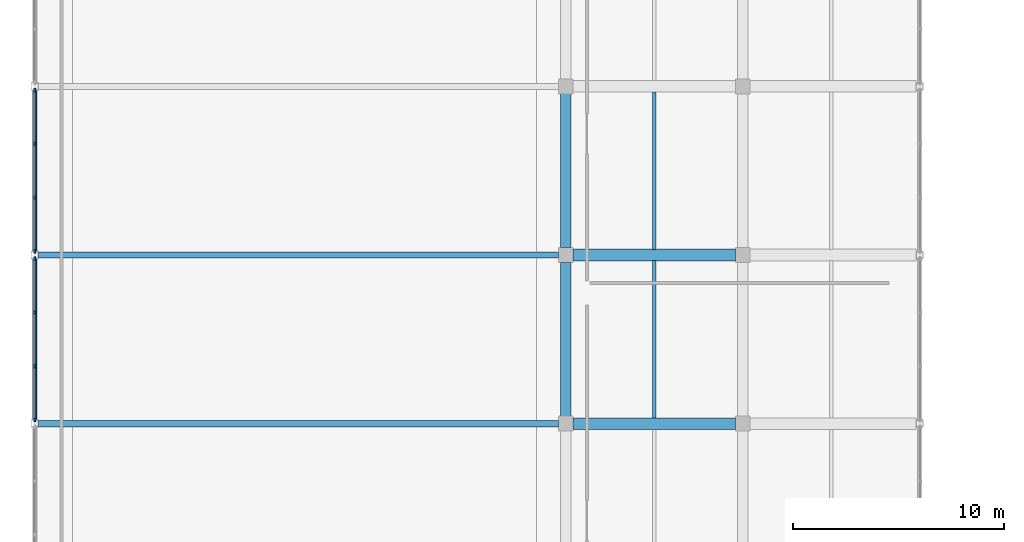
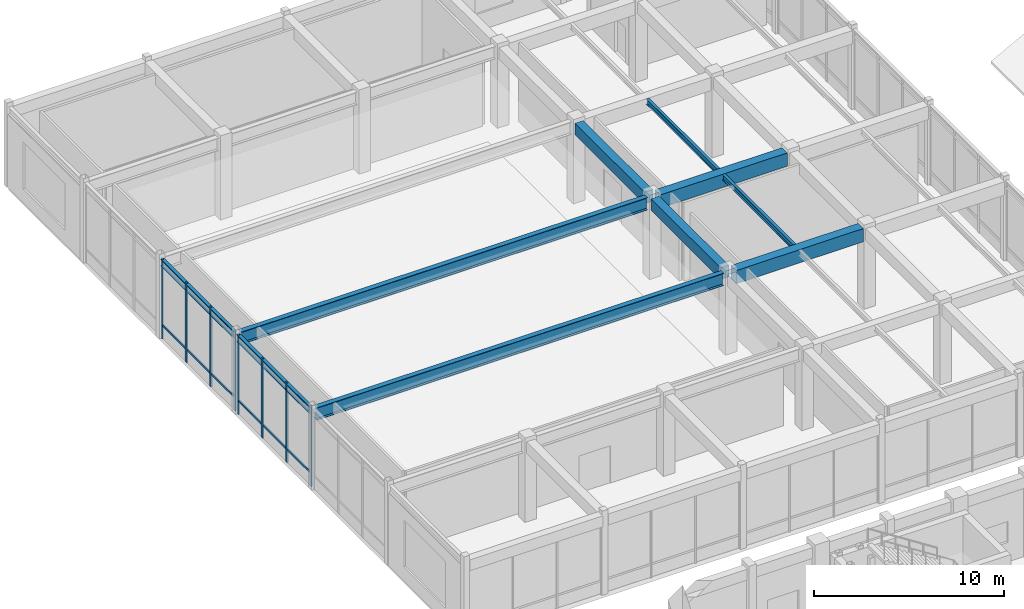
# One storey, part 32 of 79: 20 members, 10 beams, 2 elements without a shape of their own.
"""IFC4 building model written with IfcOpenShell, lengths in metres."""

from ifc_helpers import new_model, si_unit, direction, frame, origin, origin_2d, place, context, subcontext, project, spatial, rectangle, i_section, extrude, material, layer, layer_set, material_profile, profile_set, type_object, element, aggregate, save


model = new_model("IFC4")

# Units and contexts
model_context = context("Model", 3, precision=1e-05, world=origin(), true_north=direction((0.0, 1.0)))
body_context = subcontext(model_context, "Body", "Model", "MODEL_VIEW")
ifc_project = project(units=[si_unit("LENGTHUNIT", "METRE"), si_unit("AREAUNIT", "SQUARE_METRE"), si_unit("VOLUMEUNIT", "CUBIC_METRE"), si_unit("PLANEANGLEUNIT", "RADIAN"), si_unit("MASSUNIT", "GRAM", prefix="KILO")], contexts=[model_context])

# Site, building, storey
site_placement = place(None, origin())
site = spatial("IfcSite", under=ifc_project, at=site_placement, CompositionType="ELEMENT")
building_placement = place(site_placement, origin())
building = spatial("IfcBuilding", under=site, at=building_placement, Name="Naruveol Harbour Congress Hotel", CompositionType="ELEMENT")
storey_placement = place(building_placement, frame((0.0, 0.0, 6.0)))
storey = spatial("IfcBuildingStorey", under=building, at=storey_placement, Name="L01", CompositionType="ELEMENT", Elevation=6.0)

# Beams
ifc_material_1 = material(Name="Concrete C40/50", Category="concrete")
ifc_material_profile_1 = material_profile(ifc_material_1, rectangle(XDim=0.5, YDim=0.75, at=origin_2d()), Name="RCB-500x750")
ifc_profile_set_1 = profile_set([ifc_material_profile_1], Name="Concrete C40/50")
beam_type_1 = type_object("IfcBeamType", Name="RC FLOOR GIRDER 500X750", PredefinedType="BEAM", material=ifc_profile_set_1)
for number, where, z_axis, x_axis, name in (
    (1, (25.199951171875, 80.345947265625, 4.764892578125), (0.0, 1.0, 0.0), (-1.0, 0.0, 0.0), "Transverse girder L02 CB3"),
    (2, (25.199951171875, 88.345947265625, 4.764892578125), (0.0, 1.0, 0.0), (-1.0, 0.0, 0.0), "Transverse girder L02 CB3"),
):
    element("IfcBeam", number, at=place(storey_placement, frame(where, z_axis=z_axis, x_axis=x_axis)), inside=storey, type_object=beam_type_1, Name=name, PredefinedType="BEAM", context=body_context, shape_type="SweptSolid", body=[
        extrude(rectangle(XDim=0.5, YDim=0.75, at=origin_2d()), origin(), (0.0, 0.0, 1.0), 7.30810546875),
    ])
ifc_material_2 = material(Name="Concrete C40/50", Category="concrete")
ifc_material_profile_2 = material_profile(ifc_material_2, rectangle(XDim=0.550048828125, YDim=0.85009765625, at=origin_2d()), Name="RCB-550x850")
ifc_profile_set_2 = profile_set([ifc_material_profile_2], Name="Concrete C40/50")
beam_type_2 = type_object("IfcBeamType", Name="RC PRIMARY GIRDER 550X850", PredefinedType="BEAM", material=ifc_profile_set_2)
for number, where, z_axis, x_axis, name in (
    (3, (25.5458984375, 80.0, 4.715087890625), (1.0, 0.0, 0.0), (0.0, 1.0, 0.0), "Floor girder L02 CB2"),
    (4, (25.5458984375, 88.0, 4.715087890625), (1.0, 0.0, 0.0), (0.0, 1.0, 0.0), "Floor girder L02 CB2"),
):
    element("IfcBeam", number, at=place(storey_placement, frame(where, z_axis=z_axis, x_axis=x_axis)), inside=storey, type_object=beam_type_2, Name=name, PredefinedType="BEAM", context=body_context, shape_type="SweptSolid", body=[
        extrude(rectangle(XDim=0.550048828125, YDim=0.85009765625, at=origin_2d()), origin(), (0.0, 0.0, 1.0), 7.7080078125),
    ])
ifc_material_3 = material(Name="Steel SN490", Category="steel")
ifc_material_profile_3 = material_profile(ifc_material_3, i_section(OverallWidth=0.175048828125, OverallDepth=0.35009765625, WebThickness=0.007080078125, FlangeThickness=0.010986328125, at=origin_2d()), Name="H-350x175x7x11")
ifc_profile_set_3 = profile_set([ifc_material_profile_3], Name="Steel SN490")
beam_type_3 = type_object("IfcBeamType", Name="STEEL SECONDARY JOIST H350", PredefinedType="JOIST", material=ifc_profile_set_3)
for number, where, z_axis, x_axis, name in (
    (5, (29.39990234375, 80.27099609375, 4.965087890625), (0.0, 1.0, 0.0), (-1.0, 0.0, 0.0), "Secondary floor joist L02 SJ2"),
    (6, (29.39990234375, 88.27099609375, 4.965087890625), (0.0, 1.0, 0.0), (-1.0, 0.0, 0.0), "Secondary floor joist L02 SJ2"),
):
    element("IfcBeam", number, at=place(storey_placement, frame(where, z_axis=z_axis, x_axis=x_axis)), inside=storey, type_object=beam_type_3, Name=name, PredefinedType="JOIST", context=body_context, shape_type="SweptSolid", body=[
        extrude(i_section(OverallWidth=0.175048828125, OverallDepth=0.35009765625, WebThickness=0.007080078125, FlangeThickness=0.010986328125, at=origin_2d()), origin(), (0.0, 0.0, 1.0), 7.4580078125),
    ])
ifc_material_4 = material(Name="Steel SN490", Category="steel")
ifc_material_profile_4 = material_profile(ifc_material_4, i_section(OverallWidth=0.199951171875, OverallDepth=0.449951171875, WebThickness=0.009033203125, FlangeThickness=0.013916015625, at=origin_2d()), Name="H-450x200x9x14")
ifc_profile_set_4 = profile_set([ifc_material_profile_4], Name="Steel SN490")
beam_type_4 = type_object("IfcBeamType", Name="STEEL SPANDREL EDGE BEAM H450", PredefinedType="SPANDREL", material=ifc_profile_set_4)
for number, where, z_axis, x_axis, name in (
    (7, (0.0, 80.1708984375, 4.875), (0.0, 1.0, 0.0), (-1.0, 0.0, 0.0), "Transverse girder L02 SPB2"),
    (8, (0.0, 88.1708984375, 4.875), (0.0, 1.0, 0.0), (-1.0, 0.0, 0.0), "Transverse girder L02 SPB2"),
):
    element("IfcBeam", number, at=place(storey_placement, frame(where, z_axis=z_axis, x_axis=x_axis)), inside=storey, type_object=beam_type_4, Name=name, PredefinedType="SPANDREL", context=body_context, shape_type="SweptSolid", body=[
        extrude(i_section(OverallWidth=0.199951171875, OverallDepth=0.449951171875, WebThickness=0.009033203125, FlangeThickness=0.013916015625, at=origin_2d()), origin(), (0.0, 0.0, 1.0), 7.658203125),
    ])
ifc_material_5 = material(Name="Steel SN490", Category="steel")
ifc_material_profile_5 = material_profile(ifc_material_5, i_section(OverallWidth=0.300048828125, OverallDepth=0.800048828125, WebThickness=0.013916015625, FlangeThickness=0.02587890625, at=origin_2d()), Name="H-800x300x14x26")
ifc_profile_set_5 = profile_set([ifc_material_profile_5], Name="Steel SN490")
beam_type_5 = type_object("IfcBeamType", Name="STEEL VAULT ARCH GIRDER H800", PredefinedType="BEAM", material=ifc_profile_set_5)
for number, where, z_axis, x_axis, name in (
    (9, (0.1708984375, 80.0, 4.739990234375), (1.0, 0.0, 0.0), (0.0, 1.0, 0.0), "Spa pool vault tie girder VG-B1"),
    (10, (0.1708984375, 88.0, 4.739990234375), (1.0, 0.0, 0.0), (0.0, 1.0, 0.0), "Spa pool vault tie girder VG-B1"),
):
    element("IfcBeam", number, at=place(storey_placement, frame(where, z_axis=z_axis, x_axis=x_axis)), inside=storey, type_object=beam_type_5, Name=name, PredefinedType="BEAM", context=body_context, shape_type="SweptSolid", body=[
        extrude(i_section(OverallWidth=0.300048828125, OverallDepth=0.800048828125, WebThickness=0.013916015625, FlangeThickness=0.02587890625, at=origin_2d()), origin(), (0.0, 0.0, 1.0), 24.68310546875),
    ])

# Curtain wall, members
ifc_material_6 = material(Name="Low-E Curtain Wall System", Category="glass")
ifc_layer = layer(ifc_material_6, 0.179931640625)
ifc_layer_set = layer_set([ifc_layer], Name="Low-E Curtain Wall System")
curtain_wall_type = type_object("IfcCurtainWallType", Name="UNITISED CURTAIN WALL CW-V3P-13 7650X5100", PredefinedType="USERDEFINED", material=ifc_layer_set)
curtain_wall_1_placement = place(storey_placement, origin())
curtain_wall_1 = element("IfcCurtainWall", 11, at=curtain_wall_1_placement, inside=storey, type_object=curtain_wall_type, Name="Unitised curtain wall CW-V3P-13 L01", ObjectType="UNITISED GLAZING", PredefinedType="USERDEFINED")
ifc_material_7 = material(Name="Anodised Aluminium 6063-T6", Category="aluminium")
ifc_material_profile_6 = material_profile(ifc_material_7, rectangle(XDim=0.074951171875, YDim=0.179931640625, at=origin_2d()), Name="ALU-75x180")
ifc_profile_set_6 = profile_set([ifc_material_profile_6], Name="Anodised Aluminium 6063-T6")
member_type_1 = type_object("IfcMemberType", Name="THERMAL ALUMINIUM MULLION 75X180", PredefinedType="MULLION", material=ifc_profile_set_6)
member_1_placement = place(storey_placement, frame((0.0, 80.175048828125, 0.0), z_axis=(0.0, 0.0, 1.0), x_axis=(1.0, 0.0, 0.0)))
member_1 = element("IfcMember", 12, at=member_1_placement, type_object=member_type_1, Name="Curtain wall mullion CW-L01-0019-M0", PredefinedType="MULLION", context=body_context, shape_type="SweptSolid", body=[
    extrude(rectangle(XDim=0.074951171875, YDim=0.179931640625, at=origin_2d()), origin(), (0.0, 0.0, 1.0), 5.10009765625),
])
member_2_placement = place(storey_placement, frame((0.0, 82.72509765625, 0.0), z_axis=(0.0, 0.0, 1.0), x_axis=(1.0, 0.0, 0.0)))
member_2 = element("IfcMember", 13, at=member_2_placement, type_object=member_type_1, Name="Curtain wall mullion CW-L01-0019-M1", PredefinedType="MULLION", context=body_context, shape_type="SweptSolid", body=[
    extrude(rectangle(XDim=0.074951171875, YDim=0.179931640625, at=origin_2d()), origin(), (0.0, 0.0, 1.0), 5.10009765625),
])
member_3_placement = place(storey_placement, frame((0.0, 85.27490234375, 0.0), z_axis=(0.0, 0.0, 1.0), x_axis=(1.0, 0.0, 0.0)))
member_3 = element("IfcMember", 14, at=member_3_placement, type_object=member_type_1, Name="Curtain wall mullion CW-L01-0019-M2", PredefinedType="MULLION", context=body_context, shape_type="SweptSolid", body=[
    extrude(rectangle(XDim=0.074951171875, YDim=0.179931640625, at=origin_2d()), origin(), (0.0, 0.0, 1.0), 5.10009765625),
])
member_4_placement = place(storey_placement, frame((0.0, 87.824951171875, 0.0), z_axis=(0.0, 0.0, 1.0), x_axis=(1.0, 0.0, 0.0)))
member_4 = element("IfcMember", 15, at=member_4_placement, type_object=member_type_1, Name="Curtain wall mullion CW-L01-0019-M3", PredefinedType="MULLION", context=body_context, shape_type="SweptSolid", body=[
    extrude(rectangle(XDim=0.074951171875, YDim=0.179931640625, at=origin_2d()), origin(), (0.0, 0.0, 1.0), 5.10009765625),
])

curtain_wall_2_placement = place(storey_placement, origin())
curtain_wall_2 = element("IfcCurtainWall", 16, at=curtain_wall_2_placement, inside=storey, type_object=curtain_wall_type, Name="Unitised curtain wall CW-V3P-13 L01", ObjectType="UNITISED GLAZING", PredefinedType="USERDEFINED")
member_5_placement = place(storey_placement, frame((0.0, 88.175048828125, 0.0), z_axis=(0.0, 0.0, 1.0), x_axis=(1.0, 0.0, 0.0)))
member_5 = element("IfcMember", 17, at=member_5_placement, type_object=member_type_1, Name="Curtain wall mullion CW-L01-0020-M0", PredefinedType="MULLION", context=body_context, shape_type="SweptSolid", body=[
    extrude(rectangle(XDim=0.074951171875, YDim=0.179931640625, at=origin_2d()), origin(), (0.0, 0.0, 1.0), 5.10009765625),
])
member_6_placement = place(storey_placement, frame((0.0, 90.72509765625, 0.0), z_axis=(0.0, 0.0, 1.0), x_axis=(1.0, 0.0, 0.0)))
member_6 = element("IfcMember", 18, at=member_6_placement, type_object=member_type_1, Name="Curtain wall mullion CW-L01-0020-M1", PredefinedType="MULLION", context=body_context, shape_type="SweptSolid", body=[
    extrude(rectangle(XDim=0.074951171875, YDim=0.179931640625, at=origin_2d()), origin(), (0.0, 0.0, 1.0), 5.10009765625),
])
member_7_placement = place(storey_placement, frame((0.0, 93.27490234375, 0.0), z_axis=(0.0, 0.0, 1.0), x_axis=(1.0, 0.0, 0.0)))
member_7 = element("IfcMember", 19, at=member_7_placement, type_object=member_type_1, Name="Curtain wall mullion CW-L01-0020-M2", PredefinedType="MULLION", context=body_context, shape_type="SweptSolid", body=[
    extrude(rectangle(XDim=0.074951171875, YDim=0.179931640625, at=origin_2d()), origin(), (0.0, 0.0, 1.0), 5.10009765625),
])
member_8_placement = place(storey_placement, frame((0.0, 95.824951171875, 0.0), z_axis=(0.0, 0.0, 1.0), x_axis=(1.0, 0.0, 0.0)))
member_8 = element("IfcMember", 20, at=member_8_placement, type_object=member_type_1, Name="Curtain wall mullion CW-L01-0020-M3", PredefinedType="MULLION", context=body_context, shape_type="SweptSolid", body=[
    extrude(rectangle(XDim=0.074951171875, YDim=0.179931640625, at=origin_2d()), origin(), (0.0, 0.0, 1.0), 5.10009765625),
])

# Member
ifc_material_8 = material(Name="Anodised Aluminium 6063-T6", Category="aluminium")
ifc_material_profile_7 = material_profile(ifc_material_8, rectangle(XDim=0.074951171875, YDim=0.14990234375, at=origin_2d()), Name="ALU-75x150")
ifc_profile_set_7 = profile_set([ifc_material_profile_7], Name="Anodised Aluminium 6063-T6")
member_type_2 = type_object("IfcMemberType", Name="THERMAL ALUMINIUM TRANSOM 75X150", PredefinedType="USERDEFINED", material=ifc_profile_set_7)
member_9_placement = place(storey_placement, frame((0.0, 80.215087890625, 0.85009765625), z_axis=(0.0, 1.0, 0.0), x_axis=(-1.0, 0.0, 0.0)))
member_9 = element("IfcMember", 21, at=member_9_placement, type_object=member_type_2, Name="Curtain wall transom CW-L01-0019-T0.1", ObjectType="TRANSOM", PredefinedType="USERDEFINED", context=body_context, shape_type="SweptSolid", body=[
    extrude(rectangle(XDim=0.074951171875, YDim=0.14990234375, at=origin_2d()), origin(), (0.0, 0.0, 1.0), 2.469970703125),
])

member_10_placement = place(storey_placement, frame((0.0, 80.215087890625, 5.02001953125), z_axis=(0.0, 1.0, 0.0), x_axis=(-1.0, 0.0, 0.0)))
member_10 = element("IfcMember", 22, at=member_10_placement, type_object=member_type_2, Name="Curtain wall transom CW-L01-0019-T0.2", ObjectType="TRANSOM", PredefinedType="USERDEFINED", context=body_context, shape_type="SweptSolid", body=[
    extrude(rectangle(XDim=0.074951171875, YDim=0.14990234375, at=origin_2d()), origin(), (0.0, 0.0, 1.0), 2.469970703125),
])

member_11_placement = place(storey_placement, frame((0.0, 82.764892578125, 0.85009765625), z_axis=(0.0, 1.0, 0.0), x_axis=(-1.0, 0.0, 0.0)))
member_11 = element("IfcMember", 23, at=member_11_placement, type_object=member_type_2, Name="Curtain wall transom CW-L01-0019-T1.1", ObjectType="TRANSOM", PredefinedType="USERDEFINED", context=body_context, shape_type="SweptSolid", body=[
    extrude(rectangle(XDim=0.074951171875, YDim=0.14990234375, at=origin_2d()), origin(), (0.0, 0.0, 1.0), 2.47021484375),
])

member_12_placement = place(storey_placement, frame((0.0, 82.764892578125, 5.02001953125), z_axis=(0.0, 1.0, 0.0), x_axis=(-1.0, 0.0, 0.0)))
member_12 = element("IfcMember", 24, at=member_12_placement, type_object=member_type_2, Name="Curtain wall transom CW-L01-0019-T1.2", ObjectType="TRANSOM", PredefinedType="USERDEFINED", context=body_context, shape_type="SweptSolid", body=[
    extrude(rectangle(XDim=0.074951171875, YDim=0.14990234375, at=origin_2d()), origin(), (0.0, 0.0, 1.0), 2.47021484375),
])

member_13_placement = place(storey_placement, frame((0.0, 85.31494140625, 0.85009765625), z_axis=(0.0, 1.0, 0.0), x_axis=(-1.0, 0.0, 0.0)))
member_13 = element("IfcMember", 25, at=member_13_placement, type_object=member_type_2, Name="Curtain wall transom CW-L01-0019-T2.1", ObjectType="TRANSOM", PredefinedType="USERDEFINED", context=body_context, shape_type="SweptSolid", body=[
    extrude(rectangle(XDim=0.074951171875, YDim=0.14990234375, at=origin_2d()), origin(), (0.0, 0.0, 1.0), 2.469970703125),
])

member_14_placement = place(storey_placement, frame((0.0, 85.31494140625, 5.02001953125), z_axis=(0.0, 1.0, 0.0), x_axis=(-1.0, 0.0, 0.0)))
member_14 = element("IfcMember", 26, at=member_14_placement, type_object=member_type_2, Name="Curtain wall transom CW-L01-0019-T2.2", ObjectType="TRANSOM", PredefinedType="USERDEFINED", context=body_context, shape_type="SweptSolid", body=[
    extrude(rectangle(XDim=0.074951171875, YDim=0.14990234375, at=origin_2d()), origin(), (0.0, 0.0, 1.0), 2.469970703125),
])

aggregate(curtain_wall_1, [member_1, member_2, member_3, member_4, member_9, member_10, member_11, member_12, member_13, member_14])

member_15_placement = place(storey_placement, frame((0.0, 88.215087890625, 0.85009765625), z_axis=(0.0, 1.0, 0.0), x_axis=(-1.0, 0.0, 0.0)))
member_15 = element("IfcMember", 27, at=member_15_placement, type_object=member_type_2, Name="Curtain wall transom CW-L01-0020-T0.1", ObjectType="TRANSOM", PredefinedType="USERDEFINED", context=body_context, shape_type="SweptSolid", body=[
    extrude(rectangle(XDim=0.074951171875, YDim=0.14990234375, at=origin_2d()), origin(), (0.0, 0.0, 1.0), 2.469970703125),
])

member_16_placement = place(storey_placement, frame((0.0, 88.215087890625, 5.02001953125), z_axis=(0.0, 1.0, 0.0), x_axis=(-1.0, 0.0, 0.0)))
member_16 = element("IfcMember", 28, at=member_16_placement, type_object=member_type_2, Name="Curtain wall transom CW-L01-0020-T0.2", ObjectType="TRANSOM", PredefinedType="USERDEFINED", context=body_context, shape_type="SweptSolid", body=[
    extrude(rectangle(XDim=0.074951171875, YDim=0.14990234375, at=origin_2d()), origin(), (0.0, 0.0, 1.0), 2.469970703125),
])

member_17_placement = place(storey_placement, frame((0.0, 90.764892578125, 0.85009765625), z_axis=(0.0, 1.0, 0.0), x_axis=(-1.0, 0.0, 0.0)))
member_17 = element("IfcMember", 29, at=member_17_placement, type_object=member_type_2, Name="Curtain wall transom CW-L01-0020-T1.1", ObjectType="TRANSOM", PredefinedType="USERDEFINED", context=body_context, shape_type="SweptSolid", body=[
    extrude(rectangle(XDim=0.074951171875, YDim=0.14990234375, at=origin_2d()), origin(), (0.0, 0.0, 1.0), 2.47021484375),
])

member_18_placement = place(storey_placement, frame((0.0, 90.764892578125, 5.02001953125), z_axis=(0.0, 1.0, 0.0), x_axis=(-1.0, 0.0, 0.0)))
member_18 = element("IfcMember", 30, at=member_18_placement, type_object=member_type_2, Name="Curtain wall transom CW-L01-0020-T1.2", ObjectType="TRANSOM", PredefinedType="USERDEFINED", context=body_context, shape_type="SweptSolid", body=[
    extrude(rectangle(XDim=0.074951171875, YDim=0.14990234375, at=origin_2d()), origin(), (0.0, 0.0, 1.0), 2.47021484375),
])

member_19_placement = place(storey_placement, frame((0.0, 93.31494140625, 0.85009765625), z_axis=(0.0, 1.0, 0.0), x_axis=(-1.0, 0.0, 0.0)))
member_19 = element("IfcMember", 31, at=member_19_placement, type_object=member_type_2, Name="Curtain wall transom CW-L01-0020-T2.1", ObjectType="TRANSOM", PredefinedType="USERDEFINED", context=body_context, shape_type="SweptSolid", body=[
    extrude(rectangle(XDim=0.074951171875, YDim=0.14990234375, at=origin_2d()), origin(), (0.0, 0.0, 1.0), 2.469970703125),
])

member_20_placement = place(storey_placement, frame((0.0, 93.31494140625, 5.02001953125), z_axis=(0.0, 1.0, 0.0), x_axis=(-1.0, 0.0, 0.0)))
member_20 = element("IfcMember", 32, at=member_20_placement, type_object=member_type_2, Name="Curtain wall transom CW-L01-0020-T2.2", ObjectType="TRANSOM", PredefinedType="USERDEFINED", context=body_context, shape_type="SweptSolid", body=[
    extrude(rectangle(XDim=0.074951171875, YDim=0.14990234375, at=origin_2d()), origin(), (0.0, 0.0, 1.0), 2.469970703125),
])

aggregate(curtain_wall_2, [member_5, member_6, member_7, member_8, member_15, member_16, member_17, member_18, member_19, member_20])

save(model, "model.ifc")
